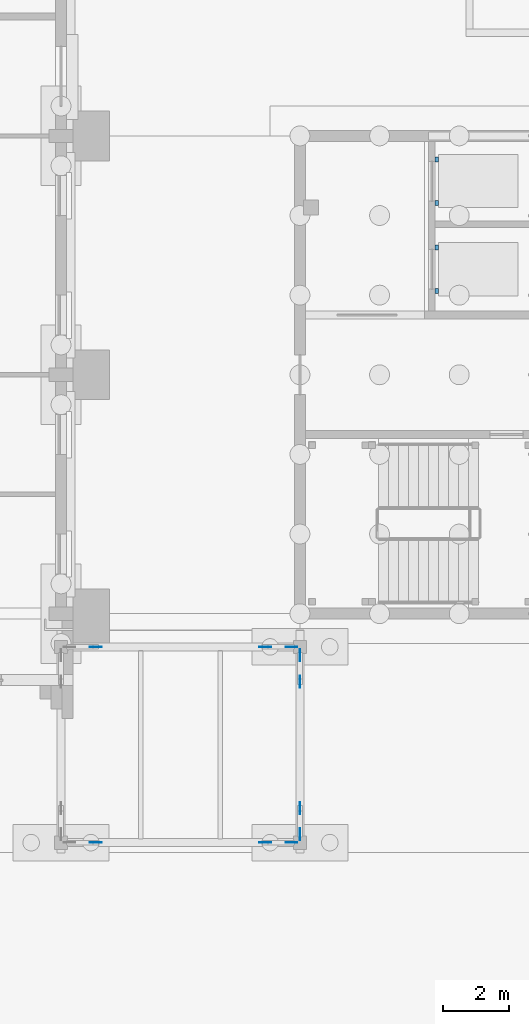
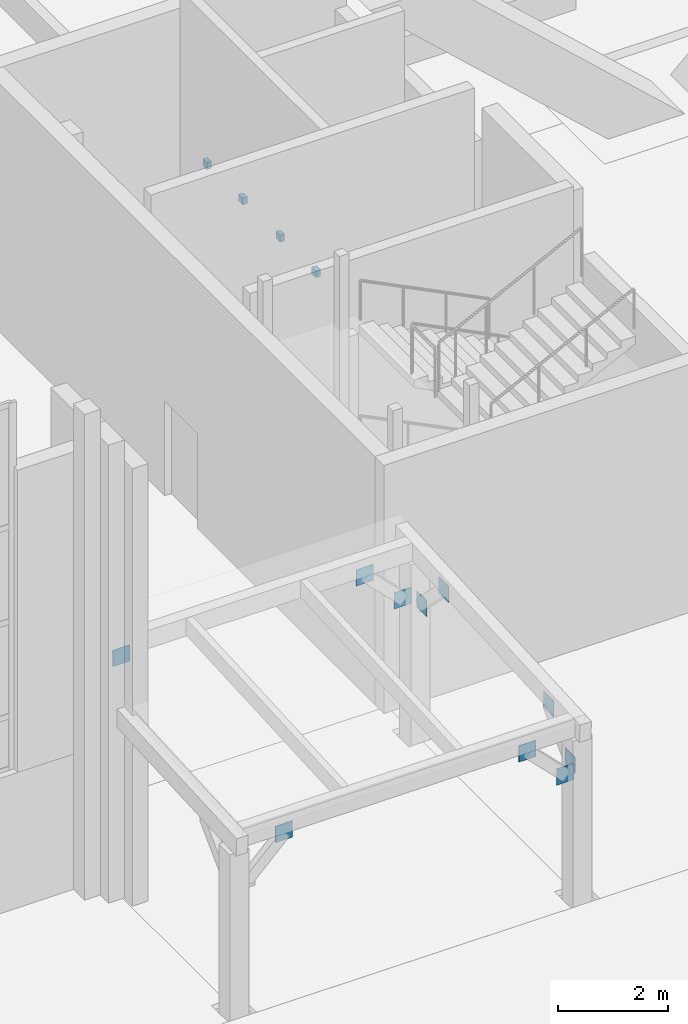
# One storey, part 47 of 84: 14 discrete accessories.
"""IFC4 building model written with IfcOpenShell, lengths in metres."""

from ifc_helpers import new_model, si_unit, direction, frame, origin, origin_2d, place, context, subcontext, project, spatial, rectangle, extrude, material, type_object, element, save


model = new_model("IFC4")

# Units and contexts
model_context = context("Model", 3, precision=1e-05, world=origin(), true_north=direction((0.0, 1.0)))
body_context = subcontext(model_context, "Body", "Model", "MODEL_VIEW")
ifc_project = project(units=[si_unit("LENGTHUNIT", "METRE"), si_unit("AREAUNIT", "SQUARE_METRE"), si_unit("VOLUMEUNIT", "CUBIC_METRE"), si_unit("PLANEANGLEUNIT", "RADIAN"), si_unit("MASSUNIT", "GRAM", prefix="KILO")], contexts=[model_context])

# Site, building, storey
site_placement = place(None, origin())
site = spatial("IfcSite", under=ifc_project, at=site_placement, CompositionType="ELEMENT")
building_placement = place(site_placement, origin())
building = spatial("IfcBuilding", under=site, at=building_placement, Name="Mazhai Court Health Centre", CompositionType="ELEMENT")
storey_placement = place(building_placement, origin())
storey = spatial("IfcBuildingStorey", under=building, at=storey_placement, Name="L00", CompositionType="ELEMENT", Elevation=0.0)

# Discrete accessories
ifc_material_1 = material(Name="Steel IS 2062 E250", Category="steel")
discrete_accessory_type_1 = type_object("IfcDiscreteAccessoryType", Name="LIFT RAIL BRACKET 150", PredefinedType="BRACKET", material=ifc_material_1)
for number, where, z_axis, x_axis, name in (
    (1, (75.125, 25.784912109375, 2.22509765625), (0.0, 0.0, 1.0), (1.0, 0.0, 0.0), "core-C6-lift1-bracket0"),
    (2, (75.125, 27.0849609375, 2.22509765625), (0.0, 0.0, 1.0), (1.0, 0.0, 0.0), "core-C6-lift1-bracket1"),
    (3, (75.125, 23.1298828125, 2.22509765625), (0.0, 0.0, 1.0), (1.0, 0.0, 0.0), "core-C6-lift2-bracket0"),
    (4, (75.125, 24.429931640625, 2.22509765625), (0.0, 0.0, 1.0), (1.0, 0.0, 0.0), "core-C6-lift2-bracket1"),
):
    element("IfcDiscreteAccessory", number, at=place(storey_placement, frame(where, z_axis=z_axis, x_axis=x_axis)), inside=storey, type_object=discrete_accessory_type_1, Name=name, PredefinedType="BRACKET", context=body_context, shape_type="SweptSolid", body=[
        extrude(rectangle(XDim=0.10009765625, YDim=0.14990234375, at=origin_2d()), origin(), (0.0, 0.0, 1.0), 0.14990234375),
    ])
ifc_material_2 = material(Name="Steel IS 2062 E250", Category="steel")
discrete_accessory_type_2 = type_object("IfcDiscreteAccessoryType", Name="TRUSS NODE PLATE 12", PredefinedType="BRACKET", material=ifc_material_2)
for number, where, z_axis, x_axis, name in (
    (5, (64.84521484375, 6.5, 3.3818359375), (0.0, 0.0, 1.0), (1.0, 0.0, 0.0), "Node plate brace-AR-L00-f00p end b"),
    (6, (64.84521484375, 12.39990234375, 3.70947265625), (0.0, 0.0, 1.0), (1.0, 0.0, 0.0), "Node plate brace-AR-L00-r00p end b"),
    (7, (70.7451171875, 6.5, 2.59130859375), (0.0, 0.0, 1.0), (1.0, 0.0, 0.0), "Node plate brace-AR-L00-f01w end a"),
    (8, (69.954833984375, 6.5, 3.3818359375), (0.0, 0.0, 1.0), (1.0, 0.0, 0.0), "Node plate brace-AR-L00-f01w end b"),
    (9, (70.7451171875, 12.39990234375, 2.91943359375), (0.0, 0.0, 1.0), (1.0, 0.0, 0.0), "Node plate brace-AR-L00-r01w end a"),
    (10, (69.954833984375, 12.39990234375, 3.70947265625), (0.0, 0.0, 1.0), (1.0, 0.0, 0.0), "Node plate brace-AR-L00-r01w end b"),
):
    element("IfcDiscreteAccessory", number, at=place(storey_placement, frame(where, z_axis=z_axis, x_axis=x_axis)), inside=storey, type_object=discrete_accessory_type_2, Name=name, PredefinedType="BRACKET", context=body_context, shape_type="SweptSolid", body=[
        extrude(rectangle(XDim=0.360107421875, YDim=0.011962890625, at=origin_2d()), origin(), (0.0, 0.0, 1.0), 0.360107421875),
    ])
for number, where, z_axis, x_axis, name in (
    (11, (71.0, 6.7548828125, 2.65234375), (0.0, 0.0, 1.0), (1.0, 0.0, 0.0), "Node plate brace-AR-L00-f01y end a"),
    (12, (71.0, 7.537109375, 3.4345703125), (0.0, 0.0, 1.0), (1.0, 0.0, 0.0), "Node plate brace-AR-L00-f01y end b"),
    (13, (71.0, 12.14501953125, 2.85791015625), (0.0, 0.0, 1.0), (1.0, 0.0, 0.0), "Node plate brace-AR-L00-r01y end a"),
    (14, (71.0, 11.347412109375, 3.65576171875), (0.0, 0.0, 1.0), (1.0, 0.0, 0.0), "Node plate brace-AR-L00-r01y end b"),
):
    element("IfcDiscreteAccessory", number, at=place(storey_placement, frame(where, z_axis=z_axis, x_axis=x_axis)), inside=storey, type_object=discrete_accessory_type_2, Name=name, PredefinedType="BRACKET", context=body_context, shape_type="SweptSolid", body=[
        extrude(rectangle(XDim=0.011962890625, YDim=0.360107421875, at=origin_2d()), origin(), (0.0, 0.0, 1.0), 0.360107421875),
    ])

save(model, "model.ifc")
